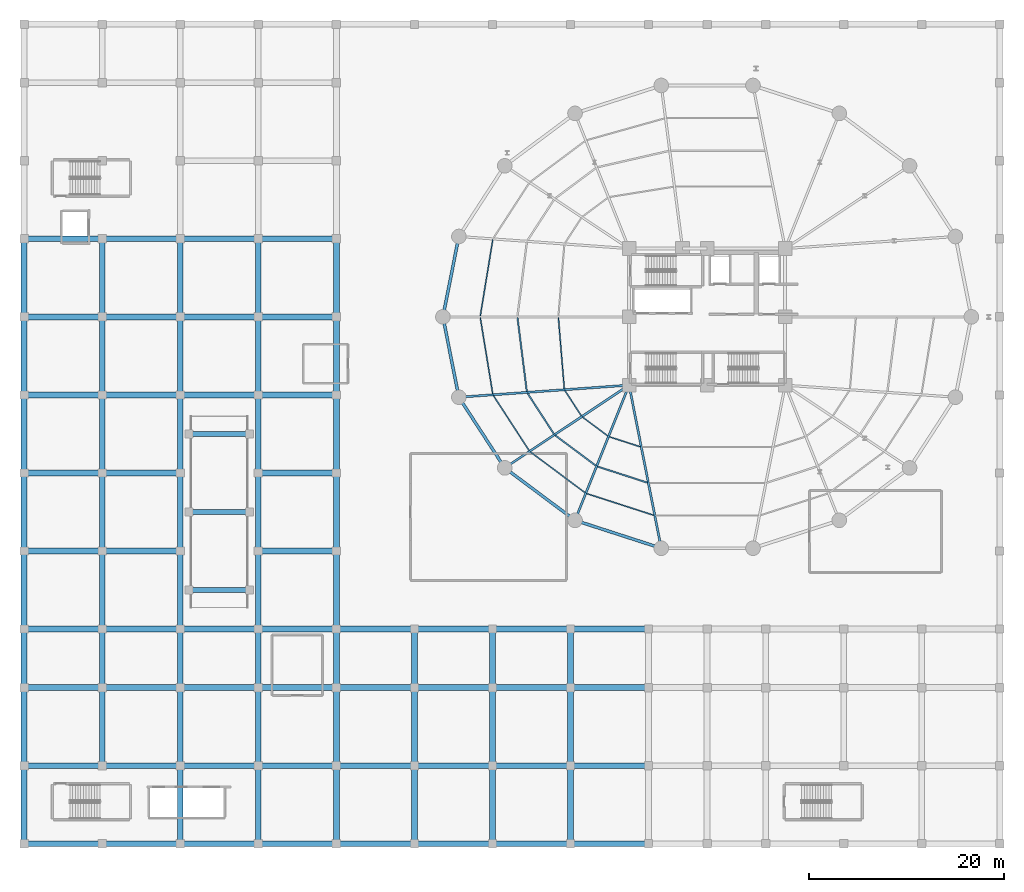
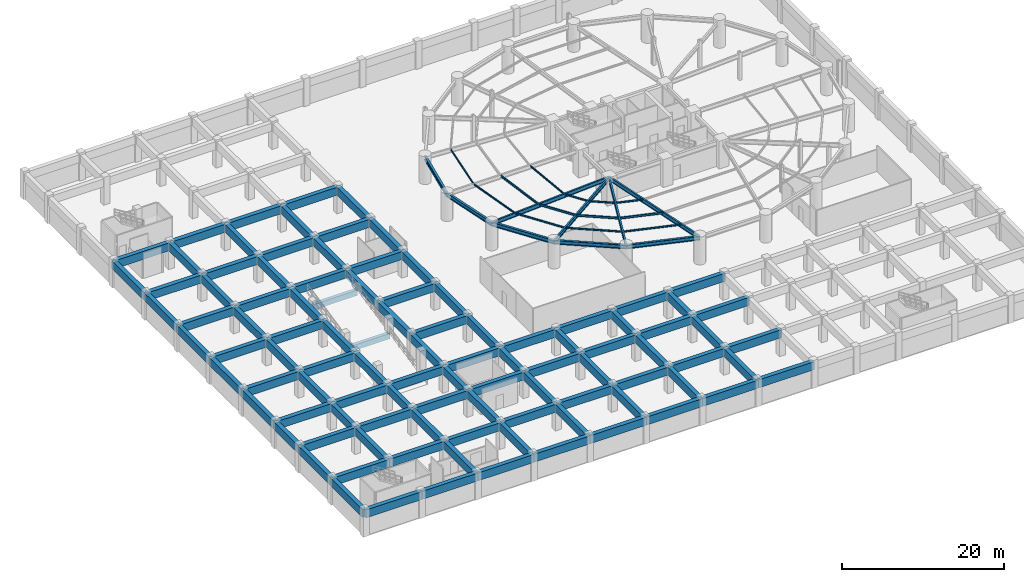
# One storey, part 5 of 20: 123 beams.
"""IFC4 building model written with IfcOpenShell, lengths in metres."""

from ifc_helpers import new_model, si_unit, direction, frame, origin, origin_2d, place, context, subcontext, project, spatial, rectangle, i_section, extrude, material, material_profile, profile_set, type_object, element, save


model = new_model("IFC4")

# Units and contexts
model_context = context("Model", 3, precision=1e-05, world=origin(), true_north=direction((0.0, 1.0)))
body_context = subcontext(model_context, "Body", "Model", "MODEL_VIEW")
ifc_project = project(units=[si_unit("LENGTHUNIT", "METRE"), si_unit("AREAUNIT", "SQUARE_METRE"), si_unit("VOLUMEUNIT", "CUBIC_METRE"), si_unit("PLANEANGLEUNIT", "RADIAN"), si_unit("MASSUNIT", "GRAM", prefix="KILO")], contexts=[model_context])

# Site, building, storey
site_placement = place(None, origin())
site = spatial("IfcSite", under=ifc_project, at=site_placement, CompositionType="ELEMENT")
building_placement = place(site_placement, origin())
building = spatial("IfcBuilding", under=site, at=building_placement, Name="Kelanora Arch Commons", CompositionType="ELEMENT")
storey_placement = place(building_placement, frame((0.0, 0.0, -4.199951171875)))
storey = spatial("IfcBuildingStorey", under=building, at=storey_placement, Name="B01", CompositionType="ELEMENT", Elevation=-4.199951171875)

# Beams
ifc_material_1 = material(Name="Concrete C45/55", Category="concrete")
ifc_material_profile_1 = material_profile(ifc_material_1, rectangle(XDim=0.60009765625, YDim=1.199951171875, at=origin_2d()), Name="RCB600x1200")
ifc_profile_set_1 = profile_set([ifc_material_profile_1], Name="Concrete C45/55")
beam_type_1 = type_object("IfcBeamType", Name="BM-BSMT-RC", PredefinedType="BEAM", material=ifc_profile_set_1)
for number, where, z_axis, x_axis, name in (
    (1, (4.0, 4.0, 3.300048828125), (1.0, 0.0, 0.0), (0.0, 1.0, 0.0), "Market/Basement Frame Beam 001 B01"),
    (2, (4.0, 4.0, 3.300048828125), (0.0, 1.0, 0.0), (-1.0, 0.0, 0.0), "Market/Basement Frame Beam 002 B01"),
    (3, (4.0, 12.0, 3.300048828125), (1.0, 0.0, 0.0), (0.0, 1.0, 0.0), "Market/Basement Frame Beam 003 B01"),
    (4, (4.0, 12.0, 3.300048828125), (0.0, 1.0, 0.0), (-1.0, 0.0, 0.0), "Market/Basement Frame Beam 004 B01"),
    (5, (4.0, 20.0, 3.300048828125), (1.0, 0.0, 0.0), (0.0, 1.0, 0.0), "Market/Basement Frame Beam 005 B01"),
):
    element("IfcBeam", number, at=place(storey_placement, frame(where, z_axis=z_axis, x_axis=x_axis)), inside=storey, type_object=beam_type_1, Name=name, PredefinedType="BEAM", context=body_context, shape_type="SweptSolid", body=[
        extrude(rectangle(XDim=0.60009765625, YDim=1.199951171875, at=origin_2d()), origin(), (0.0, 0.0, 1.0), 8.0),
    ])
beam_1_placement = place(storey_placement, frame((4.0, 20.0, 3.300048828125), z_axis=(0.0, 1.0, 0.0), x_axis=(-1.0, 0.0, 0.0)))
element("IfcBeam", 6, at=beam_1_placement, inside=storey, type_object=beam_type_1, Name="Market/Basement Frame Beam 006 B01", PredefinedType="BEAM", context=body_context, shape_type="SweptSolid", body=[
    extrude(rectangle(XDim=0.60009765625, YDim=1.199951171875, at=origin_2d()), origin(), (0.0, 0.0, 1.0), 6.0),
])
for number, where, z_axis, x_axis, name in (
    (7, (4.0, 26.0, 3.300048828125), (1.0, 0.0, 0.0), (0.0, 1.0, 0.0), "Market/Basement Frame Beam 007 B01"),
    (8, (4.0, 26.0, 3.300048828125), (0.0, 1.0, 0.0), (-1.0, 0.0, 0.0), "Market/Basement Frame Beam 008 B01"),
    (9, (4.0, 34.0, 3.300048828125), (1.0, 0.0, 0.0), (0.0, 1.0, 0.0), "Market/Basement Frame Beam 009 B01"),
    (10, (4.0, 34.0, 3.300048828125), (0.0, 1.0, 0.0), (-1.0, 0.0, 0.0), "Market/Basement Frame Beam 010 B01"),
    (11, (4.0, 42.0, 3.300048828125), (1.0, 0.0, 0.0), (0.0, 1.0, 0.0), "Market/Basement Frame Beam 011 B01"),
    (12, (4.0, 42.0, 3.300048828125), (0.0, 1.0, 0.0), (-1.0, 0.0, 0.0), "Market/Basement Frame Beam 012 B01"),
    (13, (4.0, 50.0, 3.300048828125), (1.0, 0.0, 0.0), (0.0, 1.0, 0.0), "Market/Basement Frame Beam 013 B01"),
    (14, (4.0, 50.0, 3.300048828125), (0.0, 1.0, 0.0), (-1.0, 0.0, 0.0), "Market/Basement Frame Beam 014 B01"),
    (15, (4.0, 58.0, 3.300048828125), (1.0, 0.0, 0.0), (0.0, 1.0, 0.0), "Market/Basement Frame Beam 015 B01"),
    (16, (4.0, 58.0, 3.300048828125), (0.0, 1.0, 0.0), (-1.0, 0.0, 0.0), "Market/Basement Frame Beam 016 B01"),
    (17, (4.0, 66.0, 3.300048828125), (1.0, 0.0, 0.0), (0.0, 1.0, 0.0), "Market/Basement Frame Beam 017 B01"),
    (18, (12.0, 4.0, 3.300048828125), (1.0, 0.0, 0.0), (0.0, 1.0, 0.0), "Market/Basement Frame Beam 023 B01"),
    (19, (12.0, 12.0, 3.300048828125), (1.0, 0.0, 0.0), (0.0, 1.0, 0.0), "Market/Basement Frame Beam 024 B01"),
    (20, (12.0, 12.0, 3.300048828125), (0.0, 1.0, 0.0), (-1.0, 0.0, 0.0), "Market/Basement Frame Beam 025 B01"),
    (21, (12.0, 20.0, 3.300048828125), (1.0, 0.0, 0.0), (0.0, 1.0, 0.0), "Market/Basement Frame Beam 026 B01"),
):
    element("IfcBeam", number, at=place(storey_placement, frame(where, z_axis=z_axis, x_axis=x_axis)), inside=storey, type_object=beam_type_1, Name=name, PredefinedType="BEAM", context=body_context, shape_type="SweptSolid", body=[
        extrude(rectangle(XDim=0.60009765625, YDim=1.199951171875, at=origin_2d()), origin(), (0.0, 0.0, 1.0), 8.0),
    ])
beam_2_placement = place(storey_placement, frame((12.0, 20.0, 3.300048828125), z_axis=(0.0, 1.0, 0.0), x_axis=(-1.0, 0.0, 0.0)))
element("IfcBeam", 22, at=beam_2_placement, inside=storey, type_object=beam_type_1, Name="Market/Basement Frame Beam 027 B01", PredefinedType="BEAM", context=body_context, shape_type="SweptSolid", body=[
    extrude(rectangle(XDim=0.60009765625, YDim=1.199951171875, at=origin_2d()), origin(), (0.0, 0.0, 1.0), 6.0),
])
for number, where, z_axis, x_axis, name in (
    (23, (12.0, 26.0, 3.300048828125), (1.0, 0.0, 0.0), (0.0, 1.0, 0.0), "Market/Basement Frame Beam 028 B01"),
    (24, (12.0, 26.0, 3.300048828125), (0.0, 1.0, 0.0), (-1.0, 0.0, 0.0), "Market/Basement Frame Beam 029 B01"),
    (25, (12.0, 34.0, 3.300048828125), (1.0, 0.0, 0.0), (0.0, 1.0, 0.0), "Market/Basement Frame Beam 030 B01"),
    (26, (12.0, 34.0, 3.300048828125), (0.0, 1.0, 0.0), (-1.0, 0.0, 0.0), "Market/Basement Frame Beam 031 B01"),
    (27, (12.0, 42.0, 3.300048828125), (1.0, 0.0, 0.0), (0.0, 1.0, 0.0), "Market/Basement Frame Beam 032 B01"),
    (28, (12.0, 42.0, 3.300048828125), (0.0, 1.0, 0.0), (-1.0, 0.0, 0.0), "Market/Basement Frame Beam 033 B01"),
    (29, (12.0, 50.0, 3.300048828125), (1.0, 0.0, 0.0), (0.0, 1.0, 0.0), "Market/Basement Frame Beam 034 B01"),
    (30, (12.0, 50.0, 3.300048828125), (0.0, 1.0, 0.0), (-1.0, 0.0, 0.0), "Market/Basement Frame Beam 035 B01"),
    (31, (12.0, 58.0, 3.300048828125), (1.0, 0.0, 0.0), (0.0, 1.0, 0.0), "Market/Basement Frame Beam 036 B01"),
    (32, (12.0, 58.0, 3.300048828125), (0.0, 1.0, 0.0), (-1.0, 0.0, 0.0), "Market/Basement Frame Beam 037 B01"),
    (33, (12.0, 66.0, 3.300048828125), (1.0, 0.0, 0.0), (0.0, 1.0, 0.0), "Market/Basement Frame Beam 038 B01"),
    (34, (20.0, 4.0, 3.300048828125), (1.0, 0.0, 0.0), (0.0, 1.0, 0.0), "Market/Basement Frame Beam 042 B01"),
    (35, (20.0, 4.0, 3.300048828125), (0.0, 1.0, 0.0), (-1.0, 0.0, 0.0), "Market/Basement Frame Beam 043 B01"),
    (36, (20.0, 12.0, 3.300048828125), (1.0, 0.0, 0.0), (0.0, 1.0, 0.0), "Market/Basement Frame Beam 044 B01"),
    (37, (20.0, 12.0, 3.300048828125), (0.0, 1.0, 0.0), (-1.0, 0.0, 0.0), "Market/Basement Frame Beam 045 B01"),
    (38, (20.0, 20.0, 3.300048828125), (1.0, 0.0, 0.0), (0.0, 1.0, 0.0), "Market/Basement Frame Beam 046 B01"),
):
    element("IfcBeam", number, at=place(storey_placement, frame(where, z_axis=z_axis, x_axis=x_axis)), inside=storey, type_object=beam_type_1, Name=name, PredefinedType="BEAM", context=body_context, shape_type="SweptSolid", body=[
        extrude(rectangle(XDim=0.60009765625, YDim=1.199951171875, at=origin_2d()), origin(), (0.0, 0.0, 1.0), 8.0),
    ])
beam_3_placement = place(storey_placement, frame((20.0, 20.0, 3.300048828125), z_axis=(0.0, 1.0, 0.0), x_axis=(-1.0, 0.0, 0.0)))
element("IfcBeam", 39, at=beam_3_placement, inside=storey, type_object=beam_type_1, Name="Market/Basement Frame Beam 047 B01", PredefinedType="BEAM", context=body_context, shape_type="SweptSolid", body=[
    extrude(rectangle(XDim=0.60009765625, YDim=1.199951171875, at=origin_2d()), origin(), (0.0, 0.0, 1.0), 6.0),
])
for number, where, z_axis, x_axis, name in (
    (40, (20.0, 26.0, 3.300048828125), (1.0, 0.0, 0.0), (0.0, 1.0, 0.0), "Market/Basement Frame Beam 048 B01"),
    (41, (20.0, 26.0, 3.300048828125), (0.0, 1.0, 0.0), (-1.0, 0.0, 0.0), "Market/Basement Frame Beam 049 B01"),
    (42, (20.0, 34.0, 3.300048828125), (0.0, 1.0, 0.0), (-1.0, 0.0, 0.0), "Market/Basement Frame Beam 050 B01"),
    (43, (20.0, 42.0, 3.300048828125), (0.0, 1.0, 0.0), (-1.0, 0.0, 0.0), "Market/Basement Frame Beam 051 B01"),
    (44, (20.0, 50.0, 3.300048828125), (1.0, 0.0, 0.0), (0.0, 1.0, 0.0), "Market/Basement Frame Beam 052 B01"),
    (45, (20.0, 50.0, 3.300048828125), (0.0, 1.0, 0.0), (-1.0, 0.0, 0.0), "Market/Basement Frame Beam 053 B01"),
    (46, (20.0, 58.0, 3.300048828125), (1.0, 0.0, 0.0), (0.0, 1.0, 0.0), "Market/Basement Frame Beam 054 B01"),
    (47, (20.0, 58.0, 3.300048828125), (0.0, 1.0, 0.0), (-1.0, 0.0, 0.0), "Market/Basement Frame Beam 055 B01"),
    (48, (20.0, 66.0, 3.300048828125), (1.0, 0.0, 0.0), (0.0, 1.0, 0.0), "Market/Basement Frame Beam 056 B01"),
    (49, (28.0, 4.0, 3.300048828125), (1.0, 0.0, 0.0), (0.0, 1.0, 0.0), "Market/Basement Frame Beam 063 B01"),
    (50, (28.0, 4.0, 3.300048828125), (0.0, 1.0, 0.0), (-1.0, 0.0, 0.0), "Market/Basement Frame Beam 064 B01"),
    (51, (28.0, 12.0, 3.300048828125), (1.0, 0.0, 0.0), (0.0, 1.0, 0.0), "Market/Basement Frame Beam 065 B01"),
    (52, (28.0, 12.0, 3.300048828125), (0.0, 1.0, 0.0), (-1.0, 0.0, 0.0), "Market/Basement Frame Beam 066 B01"),
    (53, (28.0, 20.0, 3.300048828125), (1.0, 0.0, 0.0), (0.0, 1.0, 0.0), "Market/Basement Frame Beam 067 B01"),
):
    element("IfcBeam", number, at=place(storey_placement, frame(where, z_axis=z_axis, x_axis=x_axis)), inside=storey, type_object=beam_type_1, Name=name, PredefinedType="BEAM", context=body_context, shape_type="SweptSolid", body=[
        extrude(rectangle(XDim=0.60009765625, YDim=1.199951171875, at=origin_2d()), origin(), (0.0, 0.0, 1.0), 8.0),
    ])
beam_4_placement = place(storey_placement, frame((28.0, 20.0, 3.300048828125), z_axis=(0.0, 1.0, 0.0), x_axis=(-1.0, 0.0, 0.0)))
element("IfcBeam", 54, at=beam_4_placement, inside=storey, type_object=beam_type_1, Name="Market/Basement Frame Beam 068 B01", PredefinedType="BEAM", context=body_context, shape_type="SweptSolid", body=[
    extrude(rectangle(XDim=0.60009765625, YDim=1.199951171875, at=origin_2d()), origin(), (0.0, 0.0, 1.0), 6.0),
])
for number, where, z_axis, x_axis, name in (
    (55, (28.0, 26.0, 3.300048828125), (1.0, 0.0, 0.0), (0.0, 1.0, 0.0), "Market/Basement Frame Beam 069 B01"),
    (56, (28.0, 26.0, 3.300048828125), (0.0, 1.0, 0.0), (-1.0, 0.0, 0.0), "Market/Basement Frame Beam 070 B01"),
    (57, (28.0, 34.0, 3.300048828125), (1.0, 0.0, 0.0), (0.0, 1.0, 0.0), "Market/Basement Frame Beam 071 B01"),
    (58, (28.0, 34.0, 3.300048828125), (0.0, 1.0, 0.0), (-1.0, 0.0, 0.0), "Market/Basement Frame Beam 072 B01"),
    (59, (28.0, 42.0, 3.300048828125), (1.0, 0.0, 0.0), (0.0, 1.0, 0.0), "Market/Basement Frame Beam 073 B01"),
    (60, (28.0, 42.0, 3.300048828125), (0.0, 1.0, 0.0), (-1.0, 0.0, 0.0), "Market/Basement Frame Beam 074 B01"),
    (61, (28.0, 50.0, 3.300048828125), (1.0, 0.0, 0.0), (0.0, 1.0, 0.0), "Market/Basement Frame Beam 075 B01"),
    (62, (28.0, 50.0, 3.300048828125), (0.0, 1.0, 0.0), (-1.0, 0.0, 0.0), "Market/Basement Frame Beam 076 B01"),
    (63, (28.0, 58.0, 3.300048828125), (1.0, 0.0, 0.0), (0.0, 1.0, 0.0), "Market/Basement Frame Beam 077 B01"),
    (64, (28.0, 58.0, 3.300048828125), (0.0, 1.0, 0.0), (-1.0, 0.0, 0.0), "Market/Basement Frame Beam 078 B01"),
    (65, (28.0, 66.0, 3.300048828125), (1.0, 0.0, 0.0), (0.0, 1.0, 0.0), "Market/Basement Frame Beam 079 B01"),
    (66, (36.0, 4.0, 3.300048828125), (1.0, 0.0, 0.0), (0.0, 1.0, 0.0), "Market/Basement Frame Beam 086 B01"),
    (67, (36.0, 4.0, 3.300048828125), (0.0, 1.0, 0.0), (-1.0, 0.0, 0.0), "Market/Basement Frame Beam 087 B01"),
    (68, (36.0, 12.0, 3.300048828125), (1.0, 0.0, 0.0), (0.0, 1.0, 0.0), "Market/Basement Frame Beam 088 B01"),
    (69, (36.0, 12.0, 3.300048828125), (0.0, 1.0, 0.0), (-1.0, 0.0, 0.0), "Market/Basement Frame Beam 089 B01"),
    (70, (36.0, 20.0, 3.300048828125), (1.0, 0.0, 0.0), (0.0, 1.0, 0.0), "Market/Basement Frame Beam 090 B01"),
):
    element("IfcBeam", number, at=place(storey_placement, frame(where, z_axis=z_axis, x_axis=x_axis)), inside=storey, type_object=beam_type_1, Name=name, PredefinedType="BEAM", context=body_context, shape_type="SweptSolid", body=[
        extrude(rectangle(XDim=0.60009765625, YDim=1.199951171875, at=origin_2d()), origin(), (0.0, 0.0, 1.0), 8.0),
    ])
beam_5_placement = place(storey_placement, frame((36.0, 20.0, 3.300048828125), z_axis=(0.0, 1.0, 0.0), x_axis=(-1.0, 0.0, 0.0)))
element("IfcBeam", 71, at=beam_5_placement, inside=storey, type_object=beam_type_1, Name="Market/Basement Frame Beam 091 B01", PredefinedType="BEAM", context=body_context, shape_type="SweptSolid", body=[
    extrude(rectangle(XDim=0.60009765625, YDim=1.199951171875, at=origin_2d()), origin(), (0.0, 0.0, 1.0), 6.0),
])
for number, where, z_axis, x_axis, name in (
    (72, (36.0, 26.0, 3.300048828125), (1.0, 0.0, 0.0), (0.0, 1.0, 0.0), "Market/Basement Frame Beam 092 B01"),
    (73, (36.0, 26.0, 3.300048828125), (0.0, 1.0, 0.0), (-1.0, 0.0, 0.0), "Market/Basement Frame Beam 093 B01"),
    (74, (36.0, 34.0, 3.300048828125), (0.0, 1.0, 0.0), (-1.0, 0.0, 0.0), "Market/Basement Frame Beam 094 B01"),
    (75, (36.0, 42.0, 3.300048828125), (0.0, 1.0, 0.0), (-1.0, 0.0, 0.0), "Market/Basement Frame Beam 095 B01"),
    (76, (36.0, 50.0, 3.300048828125), (0.0, 1.0, 0.0), (-1.0, 0.0, 0.0), "Market/Basement Frame Beam 096 B01"),
    (77, (36.0, 58.0, 3.300048828125), (0.0, 1.0, 0.0), (-1.0, 0.0, 0.0), "Market/Basement Frame Beam 097 B01"),
    (78, (44.0, 4.0, 3.300048828125), (1.0, 0.0, 0.0), (0.0, 1.0, 0.0), "Market/Basement Frame Beam 102 B01"),
    (79, (44.0, 4.0, 3.300048828125), (0.0, 1.0, 0.0), (-1.0, 0.0, 0.0), "Market/Basement Frame Beam 103 B01"),
    (80, (44.0, 12.0, 3.300048828125), (1.0, 0.0, 0.0), (0.0, 1.0, 0.0), "Market/Basement Frame Beam 104 B01"),
    (81, (44.0, 12.0, 3.300048828125), (0.0, 1.0, 0.0), (-1.0, 0.0, 0.0), "Market/Basement Frame Beam 105 B01"),
    (82, (44.0, 20.0, 3.300048828125), (1.0, 0.0, 0.0), (0.0, 1.0, 0.0), "Market/Basement Frame Beam 106 B01"),
):
    element("IfcBeam", number, at=place(storey_placement, frame(where, z_axis=z_axis, x_axis=x_axis)), inside=storey, type_object=beam_type_1, Name=name, PredefinedType="BEAM", context=body_context, shape_type="SweptSolid", body=[
        extrude(rectangle(XDim=0.60009765625, YDim=1.199951171875, at=origin_2d()), origin(), (0.0, 0.0, 1.0), 8.0),
    ])
beam_6_placement = place(storey_placement, frame((44.0, 20.0, 3.300048828125), z_axis=(0.0, 1.0, 0.0), x_axis=(-1.0, 0.0, 0.0)))
element("IfcBeam", 83, at=beam_6_placement, inside=storey, type_object=beam_type_1, Name="Market/Basement Frame Beam 107 B01", PredefinedType="BEAM", context=body_context, shape_type="SweptSolid", body=[
    extrude(rectangle(XDim=0.60009765625, YDim=1.199951171875, at=origin_2d()), origin(), (0.0, 0.0, 1.0), 6.0),
])
for number, where, z_axis, x_axis, name in (
    (84, (44.0, 26.0, 3.300048828125), (1.0, 0.0, 0.0), (0.0, 1.0, 0.0), "Market/Basement Frame Beam 108 B01"),
    (85, (52.0, 4.0, 3.300048828125), (1.0, 0.0, 0.0), (0.0, 1.0, 0.0), "Market/Basement Frame Beam 110 B01"),
    (86, (52.0, 4.0, 3.300048828125), (0.0, 1.0, 0.0), (-1.0, 0.0, 0.0), "Market/Basement Frame Beam 111 B01"),
    (87, (52.0, 12.0, 3.300048828125), (1.0, 0.0, 0.0), (0.0, 1.0, 0.0), "Market/Basement Frame Beam 112 B01"),
    (88, (52.0, 12.0, 3.300048828125), (0.0, 1.0, 0.0), (-1.0, 0.0, 0.0), "Market/Basement Frame Beam 113 B01"),
    (89, (52.0, 20.0, 3.300048828125), (1.0, 0.0, 0.0), (0.0, 1.0, 0.0), "Market/Basement Frame Beam 114 B01"),
):
    element("IfcBeam", number, at=place(storey_placement, frame(where, z_axis=z_axis, x_axis=x_axis)), inside=storey, type_object=beam_type_1, Name=name, PredefinedType="BEAM", context=body_context, shape_type="SweptSolid", body=[
        extrude(rectangle(XDim=0.60009765625, YDim=1.199951171875, at=origin_2d()), origin(), (0.0, 0.0, 1.0), 8.0),
    ])
beam_7_placement = place(storey_placement, frame((52.0, 20.0, 3.300048828125), z_axis=(0.0, 1.0, 0.0), x_axis=(-1.0, 0.0, 0.0)))
element("IfcBeam", 90, at=beam_7_placement, inside=storey, type_object=beam_type_1, Name="Market/Basement Frame Beam 115 B01", PredefinedType="BEAM", context=body_context, shape_type="SweptSolid", body=[
    extrude(rectangle(XDim=0.60009765625, YDim=1.199951171875, at=origin_2d()), origin(), (0.0, 0.0, 1.0), 6.0),
])
for number, where, z_axis, x_axis, name in (
    (91, (52.0, 26.0, 3.300048828125), (1.0, 0.0, 0.0), (0.0, 1.0, 0.0), "Market/Basement Frame Beam 116 B01"),
    (92, (60.0, 4.0, 3.300048828125), (1.0, 0.0, 0.0), (0.0, 1.0, 0.0), "Market/Basement Frame Beam 118 B01"),
    (93, (60.0, 4.0, 3.300048828125), (0.0, 1.0, 0.0), (-1.0, 0.0, 0.0), "Market/Basement Frame Beam 119 B01"),
    (94, (60.0, 12.0, 3.300048828125), (1.0, 0.0, 0.0), (0.0, 1.0, 0.0), "Market/Basement Frame Beam 120 B01"),
    (95, (60.0, 12.0, 3.300048828125), (0.0, 1.0, 0.0), (-1.0, 0.0, 0.0), "Market/Basement Frame Beam 121 B01"),
    (96, (60.0, 20.0, 3.300048828125), (1.0, 0.0, 0.0), (0.0, 1.0, 0.0), "Market/Basement Frame Beam 122 B01"),
):
    element("IfcBeam", number, at=place(storey_placement, frame(where, z_axis=z_axis, x_axis=x_axis)), inside=storey, type_object=beam_type_1, Name=name, PredefinedType="BEAM", context=body_context, shape_type="SweptSolid", body=[
        extrude(rectangle(XDim=0.60009765625, YDim=1.199951171875, at=origin_2d()), origin(), (0.0, 0.0, 1.0), 8.0),
    ])
beam_8_placement = place(storey_placement, frame((60.0, 20.0, 3.300048828125), z_axis=(0.0, 1.0, 0.0), x_axis=(-1.0, 0.0, 0.0)))
element("IfcBeam", 97, at=beam_8_placement, inside=storey, type_object=beam_type_1, Name="Market/Basement Frame Beam 123 B01", PredefinedType="BEAM", context=body_context, shape_type="SweptSolid", body=[
    extrude(rectangle(XDim=0.60009765625, YDim=1.199951171875, at=origin_2d()), origin(), (0.0, 0.0, 1.0), 6.0),
])
beam_9_placement = place(storey_placement, frame((60.0, 26.0, 3.300048828125), z_axis=(1.0, 0.0, 0.0), x_axis=(0.0, 1.0, 0.0)))
element("IfcBeam", 98, at=beam_9_placement, inside=storey, type_object=beam_type_1, Name="Market/Basement Frame Beam 124 B01", PredefinedType="BEAM", context=body_context, shape_type="SweptSolid", body=[
    extrude(rectangle(XDim=0.60009765625, YDim=1.199951171875, at=origin_2d()), origin(), (0.0, 0.0, 1.0), 8.0),
])
ifc_material_2 = material(Name="Steel S355", Category="steel")
ifc_material_profile_2 = material_profile(ifc_material_2, i_section(OverallWidth=0.14990234375, OverallDepth=0.300048828125, WebThickness=0.007080078125, FlangeThickness=0.0107421875, FilletRadius=0.014892578125, at=origin_2d()), Name="IPE300")
ifc_profile_set_2 = profile_set([ifc_material_profile_2], Name="Steel S355")
beam_type_2 = type_object("IfcBeamType", Name="BM-JST-01", PredefinedType="JOIST", material=ifc_profile_set_2)
beam_10_placement = place(storey_placement, frame((54.562744140625, 57.915771484375, 3.75), z_axis=(0.125565841651, -0.992085288375, 0.0), x_axis=(0.992085288375, 0.125565841651, 0.0)))
element("IfcBeam", 99, at=beam_10_placement, inside=storey, type_object=beam_type_2, Name="Secondary Chord Joist BJB-18 B01", PredefinedType="JOIST", context=body_context, shape_type="SweptSolid", body=[
    extrude(i_section(OverallWidth=0.14990234375, OverallDepth=0.300048828125, WebThickness=0.007080078125, FlangeThickness=0.0107421875, FilletRadius=0.014892578125, at=origin_2d()), origin(), (0.0, 0.0, 1.0), 7.63330078125),
])
beam_11_placement = place(storey_placement, frame((55.578125, 50.187255859375, 3.75), z_axis=(0.544551588245, -0.838727350061, 0.0), x_axis=(0.838727350061, 0.544551588245, 0.0)))
element("IfcBeam", 100, at=beam_11_placement, inside=storey, type_object=beam_type_2, Name="Secondary Chord Joist BJB-20 B01", PredefinedType="JOIST", context=body_context, shape_type="SweptSolid", body=[
    extrude(i_section(OverallWidth=0.14990234375, OverallDepth=0.300048828125, WebThickness=0.007080078125, FlangeThickness=0.0107421875, FilletRadius=0.014892578125, at=origin_2d()), origin(), (0.0, 0.0, 1.0), 5.010986328125),
])
beam_12_placement = place(storey_placement, frame((58.42138671875, 45.8623046875, 3.75), z_axis=(0.801478251559, -0.598023922831, 0.0), x_axis=(0.598023922831, 0.801478251559, 0.0)))
element("IfcBeam", 101, at=beam_12_placement, inside=storey, type_object=beam_type_2, Name="Secondary Chord Joist BJB-22 B01", PredefinedType="JOIST", context=body_context, shape_type="SweptSolid", body=[
    extrude(i_section(OverallWidth=0.14990234375, OverallDepth=0.300048828125, WebThickness=0.007080078125, FlangeThickness=0.0107421875, FilletRadius=0.014892578125, at=origin_2d()), origin(), (0.0, 0.0, 1.0), 5.223388671875),
])
beam_13_placement = place(storey_placement, frame((62.7568359375, 42.66162109375, 3.75), z_axis=(0.951412209627, -0.307920131482, 0.0), x_axis=(0.307920131482, 0.951412209627, 0.0)))
element("IfcBeam", 102, at=beam_13_placement, inside=storey, type_object=beam_type_2, Name="Secondary Chord Joist BJB-24 B01", PredefinedType="JOIST", context=body_context, shape_type="SweptSolid", body=[
    extrude(i_section(OverallWidth=0.14990234375, OverallDepth=0.300048828125, WebThickness=0.007080078125, FlangeThickness=0.0107421875, FilletRadius=0.014892578125, at=origin_2d()), origin(), (0.0, 0.0, 1.0), 5.4033203125),
])
ifc_material_profile_3 = material_profile(ifc_material_2, i_section(OverallWidth=0.1201171875, OverallDepth=0.239990234375, WebThickness=0.006103515625, FlangeThickness=0.009765625, FilletRadius=0.014892578125, at=origin_2d()), Name="IPE240")
ifc_profile_set_3 = profile_set([ifc_material_profile_3], Name="Steel S355")
beam_type_3 = type_object("IfcBeamType", Name="BM-JST-02", PredefinedType="JOIST", material=ifc_profile_set_3)
beam_14_placement = place(storey_placement, frame((52.02880859375, 65.90478515625, 3.780029296875), z_axis=(-0.161400737199, -0.986888951216, 0.0), x_axis=(0.986888951216, -0.161400737199, 0.0)))
element("IfcBeam", 103, at=beam_14_placement, inside=storey, type_object=beam_type_3, Name="Secondary Chord Joist BJC-16 B01", PredefinedType="JOIST", context=body_context, shape_type="SweptSolid", body=[
    extrude(i_section(OverallWidth=0.1201171875, OverallDepth=0.239990234375, WebThickness=0.006103515625, FlangeThickness=0.009765625, FilletRadius=0.014892578125, at=origin_2d()), origin(), (0.0, 0.0, 1.0), 7.9248046875),
])
beam_15_placement = place(storey_placement, frame((58.756591796875, 57.915283203125, 3.780029296875), z_axis=(0.082786209886, -0.996567330115, 0.0), x_axis=(0.996567330115, 0.082786209886, 0.0)))
element("IfcBeam", 104, at=beam_15_placement, inside=storey, type_object=beam_type_3, Name="Secondary Chord Joist BJA-18 B01", PredefinedType="JOIST", context=body_context, shape_type="SweptSolid", body=[
    extrude(i_section(OverallWidth=0.1201171875, OverallDepth=0.239990234375, WebThickness=0.006103515625, FlangeThickness=0.009765625, FilletRadius=0.014892578125, at=origin_2d()), origin(), (0.0, 0.0, 1.0), 7.325439453125),
])
beam_16_placement = place(storey_placement, frame((50.749755859375, 57.916015625, 3.780029296875), z_axis=(0.161400737199, -0.986888951216, 0.0), x_axis=(0.986888951216, 0.161400737199, 0.0)))
element("IfcBeam", 105, at=beam_16_placement, inside=storey, type_object=beam_type_3, Name="Secondary Chord Joist BJC-18 B01", PredefinedType="JOIST", context=body_context, shape_type="SweptSolid", body=[
    extrude(i_section(OverallWidth=0.1201171875, OverallDepth=0.239990234375, WebThickness=0.006103515625, FlangeThickness=0.009765625, FilletRadius=0.014892578125, at=origin_2d()), origin(), (0.0, 0.0, 1.0), 7.9248046875),
])
beam_17_placement = place(storey_placement, frame((59.41650390625, 50.458984375, 3.780029296875), z_axis=(0.544591105858, -0.838701691557, 0.0), x_axis=(0.838701691557, 0.544591105858, 0.0)))
element("IfcBeam", 106, at=beam_17_placement, inside=storey, type_object=beam_type_3, Name="Secondary Chord Joist BJA-20 B01", PredefinedType="JOIST", context=body_context, shape_type="SweptSolid", body=[
    extrude(i_section(OverallWidth=0.1201171875, OverallDepth=0.239990234375, WebThickness=0.006103515625, FlangeThickness=0.009765625, FilletRadius=0.014892578125, at=origin_2d()), origin(), (0.0, 0.0, 1.0), 3.111328125),
])
beam_18_placement = place(storey_placement, frame((52.0888671875, 49.940185546875, 3.780029296875), z_axis=(0.544550165372, -0.838728273873, 0.0), x_axis=(0.838728273873, 0.544550165372, 0.0)))
element("IfcBeam", 107, at=beam_18_placement, inside=storey, type_object=beam_type_3, Name="Secondary Chord Joist BJC-20 B01", PredefinedType="JOIST", context=body_context, shape_type="SweptSolid", body=[
    extrude(i_section(OverallWidth=0.1201171875, OverallDepth=0.239990234375, WebThickness=0.006103515625, FlangeThickness=0.009765625, FilletRadius=0.014892578125, at=origin_2d()), origin(), (0.0, 0.0, 1.0), 6.738037109375),
])
beam_19_placement = place(storey_placement, frame((61.22509765625, 47.727294921875, 3.780029296875), z_axis=(0.801513822608, -0.59797624716, 0.0), x_axis=(0.59797624716, 0.801513822608, 0.0)))
element("IfcBeam", 108, at=beam_19_placement, inside=storey, type_object=beam_type_3, Name="Secondary Chord Joist BJA-22 B01", PredefinedType="JOIST", context=body_context, shape_type="SweptSolid", body=[
    extrude(i_section(OverallWidth=0.1201171875, OverallDepth=0.239990234375, WebThickness=0.006103515625, FlangeThickness=0.009765625, FilletRadius=0.014892578125, at=origin_2d()), origin(), (0.0, 0.0, 1.0), 3.245849609375),
])
beam_20_placement = place(storey_placement, frame((55.87255859375, 44.16650390625, 3.780029296875), z_axis=(0.80149131963, -0.598006408459, 0.0), x_axis=(0.598006408459, 0.80149131963, 0.0)))
element("IfcBeam", 109, at=beam_20_placement, inside=storey, type_object=beam_type_3, Name="Secondary Chord Joist BJC-22 B01", PredefinedType="JOIST", context=body_context, shape_type="SweptSolid", body=[
    extrude(i_section(OverallWidth=0.1201171875, OverallDepth=0.239990234375, WebThickness=0.006103515625, FlangeThickness=0.009765625, FilletRadius=0.014892578125, at=origin_2d()), origin(), (0.0, 0.0, 1.0), 7.021240234375),
])
beam_21_placement = place(storey_placement, frame((63.9755859375, 45.709228515625, 3.780029296875), z_axis=(0.951422608074, -0.30788800049, 0.0), x_axis=(0.30788800049, 0.951422608074, 0.0)))
element("IfcBeam", 110, at=beam_21_placement, inside=storey, type_object=beam_type_3, Name="Secondary Chord Joist BJA-24 B01", PredefinedType="JOIST", context=body_context, shape_type="SweptSolid", body=[
    extrude(i_section(OverallWidth=0.1201171875, OverallDepth=0.239990234375, WebThickness=0.006103515625, FlangeThickness=0.009765625, FilletRadius=0.014892578125, at=origin_2d()), origin(), (0.0, 0.0, 1.0), 3.359619140625),
])
beam_22_placement = place(storey_placement, frame((61.64892578125, 39.890625, 3.780029296875), z_axis=(0.951410915705, -0.307924129418, 0.0), x_axis=(0.307924129418, 0.951410915705, 0.0)))
element("IfcBeam", 111, at=beam_22_placement, inside=storey, type_object=beam_type_3, Name="Secondary Chord Joist BJC-24 B01", PredefinedType="JOIST", context=body_context, shape_type="SweptSolid", body=[
    extrude(i_section(OverallWidth=0.1201171875, OverallDepth=0.239990234375, WebThickness=0.006103515625, FlangeThickness=0.009765625, FilletRadius=0.014892578125, at=origin_2d()), origin(), (0.0, 0.0, 1.0), 7.260986328125),
])
ifc_material_3 = material(Name="Concrete C40/50", Category="concrete")
ifc_material_profile_4 = material_profile(ifc_material_3, rectangle(XDim=0.5, YDim=0.800048828125, at=origin_2d()), Name="RCB500x800")
ifc_profile_set_4 = profile_set([ifc_material_profile_4], Name="Concrete C40/50")
beam_type_4 = type_object("IfcBeamType", Name="BM-MKT-RC1", PredefinedType="BEAM", material=ifc_profile_set_4)
for number, where, z_axis, x_axis, name in (
    (112, (20.89990234375, 38.0, 1.419921875), (1.0, 0.0, 0.0), (0.0, 1.0, 0.0), "Vehicle Ramp Mid-Span Support Beam B01"),
    (113, (20.89990234375, 46.0, 3.099853515625), (1.0, 0.0, 0.0), (0.0, 1.0, 0.0), "Vehicle Ramp Landing Support Beam B01"),
    (114, (20.89990234375, 30.0, -0.300048828125), (1.0, 0.0, 0.0), (0.0, 1.0, 0.0), "Vehicle Ramp B01 Toe Support Beam"),
):
    element("IfcBeam", number, at=place(storey_placement, frame(where, z_axis=z_axis, x_axis=x_axis)), inside=storey, type_object=beam_type_4, Name=name, PredefinedType="BEAM", context=body_context, shape_type="SweptSolid", body=[
        extrude(rectangle(XDim=0.5, YDim=0.800048828125, at=origin_2d()), origin(), (0.0, 0.0, 1.0), 6.2001953125),
    ])
ifc_material_profile_5 = material_profile(ifc_material_2, i_section(OverallWidth=0.219970703125, OverallDepth=0.60009765625, WebThickness=0.011962890625, FlangeThickness=0.01904296875, FilletRadius=0.02392578125, at=origin_2d()), Name="IPE600")
ifc_profile_set_5 = profile_set([ifc_material_profile_5], Name="Steel S355")
beam_type_5 = type_object("IfcBeamType", Name="BM-RAD-Z1", PredefinedType="BEAM", material=ifc_profile_set_5)
beam_23_placement = place(storey_placement, frame((66.0, 51.0, 3.599853515625), z_axis=(-0.997500683472, -0.070656821848, 0.0), x_axis=(0.070656821848, -0.997500683472, 0.0)))
element("IfcBeam", 115, at=beam_23_placement, inside=storey, type_object=beam_type_5, Name="Radial Floor Girder BR-20 B01", PredefinedType="BEAM", context=body_context, shape_type="SweptSolid", body=[
    extrude(i_section(OverallWidth=0.219970703125, OverallDepth=0.60009765625, WebThickness=0.011962890625, FlangeThickness=0.01904296875, FilletRadius=0.02392578125, at=origin_2d()), origin(), (0.0, 0.0, 1.0), 17.49072265625),
])
beam_24_placement = place(storey_placement, frame((66.0, 51.0, 3.599853515625), z_axis=(-0.832592187754, -0.553886494591, 0.0), x_axis=(0.553886494591, -0.832592187754, 0.0)))
element("IfcBeam", 116, at=beam_24_placement, inside=storey, type_object=beam_type_5, Name="Radial Floor Girder BR-22 B01", PredefinedType="BEAM", context=body_context, shape_type="SweptSolid", body=[
    extrude(i_section(OverallWidth=0.219970703125, OverallDepth=0.60009765625, WebThickness=0.011962890625, FlangeThickness=0.01904296875, FilletRadius=0.02392578125, at=origin_2d()), origin(), (0.0, 0.0, 1.0), 15.306884765625),
])
beam_25_placement = place(storey_placement, frame((66.0, 51.0, 3.599853515625), z_axis=(-0.371300398117, -0.928512797089, 0.0), x_axis=(0.928512797089, -0.371300398117, 0.0)))
element("IfcBeam", 117, at=beam_25_placement, inside=storey, type_object=beam_type_5, Name="Radial Floor Girder BR-24 B01", PredefinedType="BEAM", context=body_context, shape_type="SweptSolid", body=[
    extrude(i_section(OverallWidth=0.219970703125, OverallDepth=0.60009765625, WebThickness=0.011962890625, FlangeThickness=0.01904296875, FilletRadius=0.02392578125, at=origin_2d()), origin(), (0.0, 0.0, 1.0), 14.920654296875),
])
beam_26_placement = place(storey_placement, frame((66.0, 51.0, 3.599853515625), z_axis=(0.19356352044, -0.981087745084, 0.0), x_axis=(0.981087745084, 0.19356352044, 0.0)))
element("IfcBeam", 118, at=beam_26_placement, inside=storey, type_object=beam_type_5, Name="Radial Floor Girder BR-26 B01", PredefinedType="BEAM", context=body_context, shape_type="SweptSolid", body=[
    extrude(i_section(OverallWidth=0.219970703125, OverallDepth=0.60009765625, WebThickness=0.011962890625, FlangeThickness=0.01904296875, FilletRadius=0.02392578125, at=origin_2d()), origin(), (0.0, 0.0, 1.0), 17.036376953125),
])
ifc_material_profile_6 = material_profile(ifc_material_2, i_section(OverallWidth=0.300048828125, OverallDepth=0.60009765625, WebThickness=0.015380859375, FlangeThickness=0.030029296875, FilletRadius=0.027099609375, at=origin_2d()), Name="HEB600")
ifc_profile_set_6 = profile_set([ifc_material_profile_6], Name="Steel S355")
beam_type_6 = type_object("IfcBeamType", Name="BM-SPN-Z1", PredefinedType="SPANDREL", material=ifc_profile_set_6)
for number, where, z_axis, x_axis, name in (
    (119, (48.552978515625, 66.23583984375, 3.599853515625), (-0.194499827256, -0.980902552345, 0.0), (0.980902552345, -0.194499827256, 0.0), "Perimeter Spandrel Beam BS-16 B01"),
    (120, (46.919921875, 58.0, 3.599853515625), (0.194499827256, -0.980902552345, 0.0), (0.980902552345, 0.194499827256, 0.0), "Perimeter Spandrel Beam BS-18 B01"),
):
    element("IfcBeam", number, at=place(storey_placement, frame(where, z_axis=z_axis, x_axis=x_axis)), inside=storey, type_object=beam_type_6, Name=name, PredefinedType="SPANDREL", context=body_context, shape_type="SweptSolid", body=[
        extrude(i_section(OverallWidth=0.300048828125, OverallDepth=0.60009765625, WebThickness=0.015380859375, FlangeThickness=0.030029296875, FilletRadius=0.027099609375, at=origin_2d()), origin(), (0.0, 0.0, 1.0), 8.396240234375),
    ])
beam_27_placement = place(storey_placement, frame((48.552978515625, 49.76416015625, 3.599853515625), z_axis=(0.544585813928, -0.838705127722, 0.0), x_axis=(0.838705127722, 0.544585813928, 0.0)))
element("IfcBeam", 121, at=beam_27_placement, inside=storey, type_object=beam_type_6, Name="Perimeter Spandrel Beam BS-20 B01", PredefinedType="SPANDREL", context=body_context, shape_type="SweptSolid", body=[
    extrude(i_section(OverallWidth=0.300048828125, OverallDepth=0.60009765625, WebThickness=0.015380859375, FlangeThickness=0.030029296875, FilletRadius=0.027099609375, at=origin_2d()), origin(), (0.0, 0.0, 1.0), 8.63525390625),
])
beam_28_placement = place(storey_placement, frame((53.255615234375, 42.521728515625, 3.599853515625), z_axis=(0.801467504127, -0.598038326388, 0.0), x_axis=(0.598038326388, 0.801467504127, 0.0)))
element("IfcBeam", 122, at=beam_28_placement, inside=storey, type_object=beam_type_6, Name="Perimeter Spandrel Beam BS-22 B01", PredefinedType="SPANDREL", context=body_context, shape_type="SweptSolid", body=[
    extrude(i_section(OverallWidth=0.300048828125, OverallDepth=0.60009765625, WebThickness=0.015380859375, FlangeThickness=0.030029296875, FilletRadius=0.027099609375, at=origin_2d()), origin(), (0.0, 0.0, 1.0), 8.989013671875),
])
beam_29_placement = place(storey_placement, frame((60.4599609375, 37.14599609375, 3.599853515625), z_axis=(0.951417120402, -0.307904957748, 0.0), x_axis=(0.307904957748, 0.951417120402, 0.0)))
element("IfcBeam", 123, at=beam_29_placement, inside=storey, type_object=beam_type_6, Name="Perimeter Spandrel Beam BS-24 B01", PredefinedType="SPANDREL", context=body_context, shape_type="SweptSolid", body=[
    extrude(i_section(OverallWidth=0.300048828125, OverallDepth=0.60009765625, WebThickness=0.015380859375, FlangeThickness=0.030029296875, FilletRadius=0.027099609375, at=origin_2d()), origin(), (0.0, 0.0, 1.0), 9.288818359375),
])

save(model, "model.ifc")
